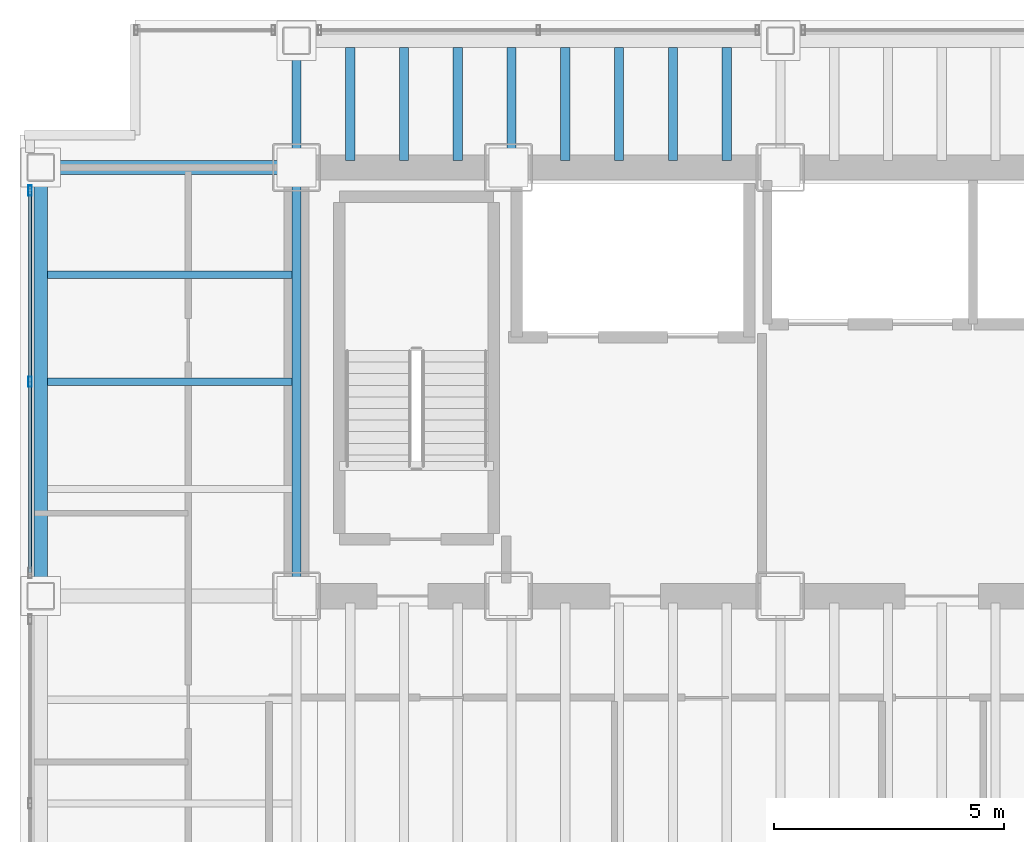
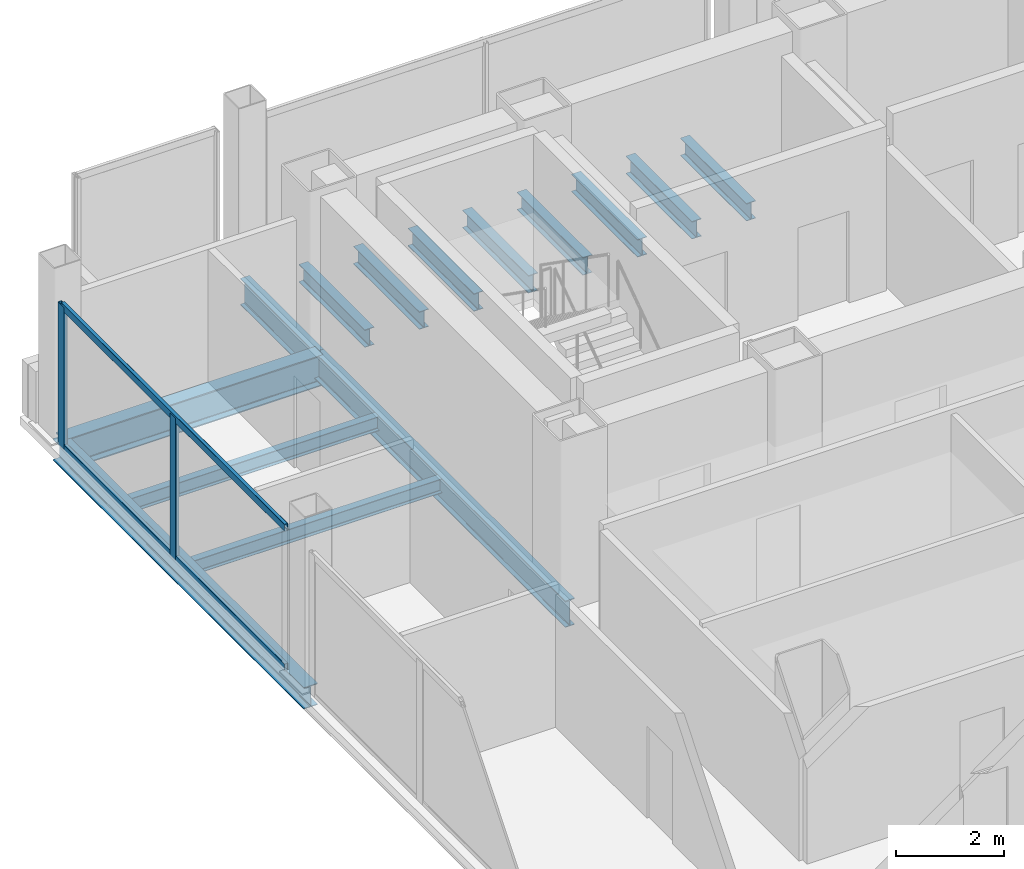
# One storey, part 7 of 22: 14 beams, 4 members, 1 element without a shape of its own.
"""IFC4 building model written with IfcOpenShell, lengths in metres."""

import ifcopenshell
import ifcopenshell.guid

model = None  # the IFC model being written
_history = None  # IfcOwnerHistory: only IFC2X3 demands one
_inside = {}  # id of a spatial element -> (the spatial element, [elements in it])
_under = {}  # id of a project, library or spatial element -> (it, [spatial elements below it])
_declared = {}  # id of a project -> (the project, [libraries it declares])
_typed = {}  # id of a type object -> (the type object, [elements of that type])
_made_of = {}  # id of a material, layer set ... -> (it, [elements and type objects made of it])


def new_model(schema):
    """Start an empty IFC model of exactly this schema.

    Asked for "IFC4X3", IfcOpenShell would pick the latest addendum, in which some entities
    have other attributes; the version numbers below select the first issue.
    IFC2X3 requires an IfcOwnerHistory on every rooted entity: one is made here for all.
    """
    global model, _history
    if schema == "IFC4X3":
        model = ifcopenshell.file(schema_version=(4, 3, 0, 0))
    else:
        model = ifcopenshell.file(schema=schema)
    _inside.clear()
    _under.clear()
    _declared.clear()
    _typed.clear()
    _made_of.clear()
    _history = None
    if model.schema == "IFC2X3":
        org = make("IfcOrganization", Name="unknown")
        user = make(
            "IfcPersonAndOrganization",
            ThePerson=make("IfcPerson", FamilyName="unknown"),
            TheOrganization=org,
        )
        app = make(
            "IfcApplication",
            ApplicationDeveloper=org,
            Version="unknown",
            ApplicationFullName="unknown",
            ApplicationIdentifier="unknown",
        )
        _history = make(
            "IfcOwnerHistory",
            OwningUser=user,
            OwningApplication=app,
            ChangeAction="ADDED",
            CreationDate=0,
        )
    return model


def make(cls, **values):
    """One entity of the class cls with the attributes given. An attribute that is None is left unset."""
    return model.create_entity(
        cls, **{name: value for name, value in values.items() if value is not None}
    )


def rooted(cls, **values):
    """An entity with a GlobalId (a new one), such as an element, a storey or a relation."""
    return make(cls, GlobalId=ifcopenshell.guid.new(), OwnerHistory=_history, **values)


def si_unit(unit_type, name, prefix=None):
    """IfcSIUnit, for example si_unit("LENGTHUNIT", "METRE", prefix="MILLI")."""
    return make("IfcSIUnit", UnitType=unit_type, Prefix=prefix, Name=name)


def assignment(units):
    """IfcUnitAssignment: the units of a project."""
    return None if units is None else make("IfcUnitAssignment", Units=units)


def point(xyz):
    """IfcCartesianPoint."""
    return None if xyz is None else make("IfcCartesianPoint", Coordinates=xyz)


def direction(xyz):
    """IfcDirection."""
    return None if xyz is None else make("IfcDirection", DirectionRatios=xyz)


def frame(location, z_axis=None, x_axis=None):
    """IfcAxis2Placement3D, a coordinate frame: its origin and axes. An axis left out is left unset."""
    return make(
        "IfcAxis2Placement3D",
        Location=point(location),
        Axis=direction(z_axis),
        RefDirection=direction(x_axis),
    )


def frame_2d(location, x_axis=None):
    """IfcAxis2Placement2D, a coordinate frame in the plane: its origin and x axis."""
    return make(
        "IfcAxis2Placement2D", Location=point(location), RefDirection=direction(x_axis)
    )


def origin():
    """The frame at (0, 0, 0) with its axes left unset."""
    return frame((0.0, 0.0, 0.0))


def origin_2d():
    """The frame at (0, 0) in the plane with its x axis left unset."""
    return frame_2d((0.0, 0.0))


def place(relative_to, where):
    """IfcLocalPlacement: puts the frame where relative to a parent placement (None: the world)."""
    return make(
        "IfcLocalPlacement", PlacementRelTo=relative_to, RelativePlacement=where
    )


def context(
    kind, dimensions, precision=None, world=None, true_north=None, identifier=None
):
    """IfcGeometricRepresentationContext, for example the 3D "Model" context."""
    return make(
        "IfcGeometricRepresentationContext",
        ContextIdentifier=identifier,
        ContextType=kind,
        CoordinateSpaceDimension=dimensions,
        Precision=precision,
        WorldCoordinateSystem=world,
        TrueNorth=true_north,
    )


def subcontext(parent, identifier, kind, view, scale=None):
    """IfcGeometricRepresentationSubContext, for example "Body" below "Model"."""
    return make(
        "IfcGeometricRepresentationSubContext",
        ContextIdentifier=identifier,
        ContextType=kind,
        ParentContext=parent,
        TargetScale=scale,
        TargetView=view,
    )


def project(units=None, contexts=None):
    """IfcProject with its units and contexts."""
    return rooted(
        "IfcProject",
        Name="project",
        RepresentationContexts=contexts,
        UnitsInContext=assignment(units),
    )


def spatial(cls, under=None, at=None, **own):
    """A site, building, storey or space (cls), placed at a placement, below another one or the project."""
    s = rooted(cls, ObjectPlacement=at, **own)
    if under is not None:
        _under.setdefault(under.id(), (under, []))[1].append(s)
    return s


def profile(cls, at=None, kind="AREA", **sizes):
    """A parametric profile (cls). Its sizes go by their IFC names, for example OverallWidth=200.0."""
    return make(cls, ProfileType=kind, Position=at, **sizes)


def hollow_rectangle(**sizes):
    """IfcRectangleHollowProfileDef."""
    return profile("IfcRectangleHollowProfileDef", **sizes)


def i_section(**sizes):
    """IfcIShapeProfileDef."""
    return profile("IfcIShapeProfileDef", **sizes)


def extrude(swept, where, along, depth):
    """IfcExtrudedAreaSolid: the profile swept, set in the frame where, extruded along a direction by depth."""
    return make(
        "IfcExtrudedAreaSolid",
        SweptArea=swept,
        Position=where,
        ExtrudedDirection=direction(along),
        Depth=depth,
    )


def shape(context_of_items, identifier, shape_type, items):
    """IfcShapeRepresentation: the items that make up one representation, for example the "Body"."""
    return make(
        "IfcShapeRepresentation",
        ContextOfItems=context_of_items,
        RepresentationIdentifier=identifier,
        RepresentationType=shape_type,
        Items=items,
    )


def material(Name=None, Category=None):
    """IfcMaterial."""
    return make("IfcMaterial", Name=Name, Category=Category)


def material_profile(
    of_material, cross_section, Name=None, Category=None, Priority=None
):
    """IfcMaterialProfile: a cross section and its material."""
    return make(
        "IfcMaterialProfile",
        Name=Name,
        Material=of_material,
        Profile=cross_section,
        Priority=Priority,
        Category=Category,
    )


def profile_set(profiles, Name=None, composite=None):
    """IfcMaterialProfileSet."""
    return make(
        "IfcMaterialProfileSet",
        Name=Name,
        MaterialProfiles=profiles,
        CompositeProfile=composite,
    )


def made_of(thing, what):
    """Note that an element or type object is made of a material, layer set ...; save() writes the relation."""
    if what is not None:
        _made_of.setdefault(what.id(), (what, []))[1].append(thing)
    return thing


def type_object(cls, material=None, **own):
    """A type object (cls), such as IfcWallType, which elements share."""
    return made_of(rooted(cls, **own), material)


def element(
    cls,
    number,
    at=None,
    inside=None,
    cuts=None,
    type_object=None,
    material=None,
    context=None,
    identifier="Body",
    shape_type=None,
    held_by="IfcProductDefinitionShape",
    body=None,
    shapes=None,
    **own,
):
    """One element of the class cls, such as IfcWall. Its Tag is "e" and its number.

    at: its placement. inside: the storey or other place that contains it. cuts: it is an
    opening in that element (IfcRelVoidsElement). A single representation is given by context,
    identifier, shape_type and body (its items); several are given by shapes. held_by: the class
    of the entity that holds the representations. save() writes the other relations.
    """
    e = rooted(cls, Tag="e%d" % number, ObjectPlacement=at, **own)
    if body is not None:
        shapes = [shape(context, identifier, shape_type, body)]
    if shapes is not None:
        e.Representation = make(held_by, Representations=shapes)
    if inside is not None:
        _inside.setdefault(inside.id(), (inside, []))[1].append(e)
    if cuts is not None:
        rooted(
            "IfcRelVoidsElement", RelatingBuildingElement=cuts, RelatedOpeningElement=e
        )
    if type_object is not None:
        _typed.setdefault(type_object.id(), (type_object, []))[1].append(e)
    return made_of(e, material)


def aggregate(whole, parts):
    """IfcRelAggregates: a whole, such as a stair, and the parts it consists of."""
    return rooted("IfcRelAggregates", RelatingObject=whole, RelatedObjects=parts)


def save(model, path):
    """Write the relations noted so far, then the file.

    IfcRelAggregates (storeys below a building ...), IfcRelContainedInSpatialStructure (elements
    in a storey), IfcRelDefinesByType, IfcRelAssociatesMaterial and IfcRelDeclares: one each for
    every whole, place, type object, material and project.
    """
    for whole, parts in _under.values():
        aggregate(whole, parts)
    for where, things in _inside.values():
        rooted(
            "IfcRelContainedInSpatialStructure",
            RelatedElements=things,
            RelatingStructure=where,
        )
    for kind, things in _typed.values():
        rooted("IfcRelDefinesByType", RelatedObjects=things, RelatingType=kind)
    for what, things in _made_of.values():
        rooted("IfcRelAssociatesMaterial", RelatedObjects=things, RelatingMaterial=what)
    for by, libraries in _declared.values():
        rooted("IfcRelDeclares", RelatingContext=by, RelatedDefinitions=libraries)
    model.write(path)


model = new_model("IFC4")

# Units and contexts
model_context = context("Model", 3, precision=1e-05, world=origin(), true_north=direction((0.0, 1.0)))
body_context = subcontext(model_context, "Body", "Model", "MODEL_VIEW")
ifc_project = project(units=[si_unit("LENGTHUNIT", "METRE"), si_unit("AREAUNIT", "SQUARE_METRE"), si_unit("VOLUMEUNIT", "CUBIC_METRE"), si_unit("PLANEANGLEUNIT", "RADIAN"), si_unit("MASSUNIT", "GRAM", prefix="KILO")], contexts=[model_context])

# Site, building, storey
site_placement = place(None, origin())
site = spatial("IfcSite", under=ifc_project, at=site_placement, CompositionType="ELEMENT")
building_placement = place(site_placement, origin())
building = spatial("IfcBuilding", under=site, at=building_placement, Name="Noeulbin Bourse Tower", CompositionType="ELEMENT")
storey_placement = place(building_placement, frame((0.0, 0.0, 88.89990234375)))
storey = spatial("IfcBuildingStorey", under=building, at=storey_placement, Name="L22", CompositionType="ELEMENT", Elevation=88.89990234375)

# Beams
ifc_material_1 = material(Name="Steel S355", Category="steel")
ifc_material_profile_1 = material_profile(ifc_material_1, i_section(OverallWidth=0.199951171875, OverallDepth=0.60009765625, WebThickness=0.010986328125, FlangeThickness=0.01708984375, FilletRadius=0.02197265625, at=origin_2d()), Name="H-600x200x11x17", Category="LoadBearing")
ifc_profile_set_1 = profile_set([ifc_material_profile_1], Name="Steel S355")
beam_type_1 = type_object("IfcBeamType", Name="BM-GRD-600", PredefinedType="USERDEFINED", material=ifc_profile_set_1)
beam_1_placement = place(storey_placement, frame((13.5, 29.0, -0.47998046875), z_axis=(0.0, 1.0, 0.0), x_axis=(-1.0, 0.0, 0.0)))
element("IfcBeam", 1, at=beam_1_placement, inside=storey, type_object=beam_type_1, Name="Tower Primary Girder NS L22-1.3", ObjectType="GIRDER", PredefinedType="USERDEFINED", context=body_context, shape_type="SweptSolid", body=[
    extrude(i_section(OverallWidth=0.199951171875, OverallDepth=0.60009765625, WebThickness=0.010986328125, FlangeThickness=0.01708984375, FilletRadius=0.02197265625, at=origin_2d()), origin(), (0.0, 0.0, 1.0), 9.300048828125),
])
beam_2_placement = place(storey_placement, frame((13.5, 38.300048828125, -0.47998046875), z_axis=(0.0, 1.0, 0.0), x_axis=(-1.0, 0.0, 0.0)))
element("IfcBeam", 2, at=beam_2_placement, inside=storey, type_object=beam_type_1, Name="Tower Primary Girder NS L22-1.4", ObjectType="GIRDER", PredefinedType="USERDEFINED", context=body_context, shape_type="SweptSolid", body=[
    extrude(i_section(OverallWidth=0.199951171875, OverallDepth=0.60009765625, WebThickness=0.010986328125, FlangeThickness=0.01708984375, FilletRadius=0.02197265625, at=origin_2d()), origin(), (0.0, 0.0, 1.0), 2.75),
])
ifc_material_profile_2 = material_profile(ifc_material_1, i_section(OverallWidth=0.300048828125, OverallDepth=0.699951171875, WebThickness=0.012939453125, FlangeThickness=0.02392578125, FilletRadius=0.02392578125, at=origin_2d()), Name="H-700x300x13x24", Category="LoadBearing")
ifc_profile_set_2 = profile_set([ifc_material_profile_2], Name="Steel S355")
beam_type_2 = type_object("IfcBeamType", Name="BM-GRD-700", PredefinedType="USERDEFINED", material=ifc_profile_set_2)
beam_3_placement = place(storey_placement, frame((7.949951171875, 38.300048828125, -0.52978515625), z_axis=(1.0, 0.0, 0.0), x_axis=(0.0, 1.0, 0.0)))
element("IfcBeam", 3, at=beam_3_placement, inside=storey, type_object=beam_type_2, Name="Tower Primary Girder EW L22-3.1", ObjectType="GIRDER", PredefinedType="USERDEFINED", context=body_context, shape_type="SweptSolid", body=[
    extrude(i_section(OverallWidth=0.300048828125, OverallDepth=0.699951171875, WebThickness=0.012939453125, FlangeThickness=0.02392578125, FilletRadius=0.02392578125, at=origin_2d()), origin(), (0.0, 0.0, 1.0), 5.550048828125),
])
ifc_material_profile_3 = material_profile(ifc_material_1, i_section(OverallWidth=0.159912109375, OverallDepth=0.320068359375, WebThickness=0.006591796875, FlangeThickness=0.010009765625, FilletRadius=0.012939453125, at=origin_2d()), Name="H-320x160x6.5x10", Category="LoadBearing")
ifc_profile_set_3 = profile_set([ifc_material_profile_3], Name="Steel S355")
beam_type_3 = type_object("IfcBeamType", Name="BM-JST-320", PredefinedType="JOIST", material=ifc_profile_set_3)
for number, where, z_axis, x_axis, name in (
    (4, (8.10009765625, 33.64990234375, -0.33984375), (1.0, 0.0, 0.0), (0.0, 1.0, 0.0), "Wing Composite Joist L22-W74"),
    (5, (8.10009765625, 35.97509765625, -0.33984375), (1.0, 0.0, 0.0), (0.0, 1.0, 0.0), "Wing Composite Joist L22-W75"),
):
    element("IfcBeam", number, at=place(storey_placement, frame(where, z_axis=z_axis, x_axis=x_axis)), inside=storey, type_object=beam_type_3, Name=name, PredefinedType="JOIST", context=body_context, shape_type="SweptSolid", body=[
        extrude(i_section(OverallWidth=0.159912109375, OverallDepth=0.320068359375, WebThickness=0.006591796875, FlangeThickness=0.010009765625, FilletRadius=0.012939453125, at=origin_2d()), origin(), (0.0, 0.0, 1.0), 5.2998046875),
    ])
ifc_material_profile_4 = material_profile(ifc_material_1, i_section(OverallWidth=0.199951171875, OverallDepth=0.39990234375, WebThickness=0.008056640625, FlangeThickness=0.012939453125, FilletRadius=0.01611328125, at=origin_2d()), Name="H-400x200x8x13", Category="LoadBearing")
ifc_profile_set_4 = profile_set([ifc_material_profile_4], Name="Steel S355")
beam_type_4 = type_object("IfcBeamType", Name="BM-SEC-400", PredefinedType="BEAM", material=ifc_profile_set_4)
for number, where, z_axis, x_axis, name in (
    (6, (14.666748046875, 38.449951171875, -0.3798828125), (0.0, 1.0, 0.0), (-1.0, 0.0, 0.0), "Tower Composite Joist L22-03"),
    (7, (15.833251953125, 38.449951171875, -0.3798828125), (0.0, 1.0, 0.0), (-1.0, 0.0, 0.0), "Tower Composite Joist L22-06"),
    (8, (17.0, 38.449951171875, -0.3798828125), (0.0, 1.0, 0.0), (-1.0, 0.0, 0.0), "Tower Composite Joist L22-09"),
    (9, (18.166748046875, 38.449951171875, -0.3798828125), (0.0, 1.0, 0.0), (-1.0, 0.0, 0.0), "Tower Composite Joist L22-12"),
    (10, (19.333251953125, 38.449951171875, -0.3798828125), (0.0, 1.0, 0.0), (-1.0, 0.0, 0.0), "Tower Composite Joist L22-15"),
    (11, (20.5, 38.449951171875, -0.3798828125), (0.0, 1.0, 0.0), (-1.0, 0.0, 0.0), "Tower Composite Joist L22-18"),
    (12, (21.666748046875, 38.449951171875, -0.3798828125), (0.0, 1.0, 0.0), (-1.0, 0.0, 0.0), "Tower Composite Joist L22-21"),
    (13, (22.833251953125, 38.449951171875, -0.3798828125), (0.0, 1.0, 0.0), (-1.0, 0.0, 0.0), "Tower Composite Joist L22-24"),
):
    element("IfcBeam", number, at=place(storey_placement, frame(where, z_axis=z_axis, x_axis=x_axis)), inside=storey, type_object=beam_type_4, Name=name, PredefinedType="BEAM", context=body_context, shape_type="SweptSolid", body=[
        extrude(i_section(OverallWidth=0.199951171875, OverallDepth=0.39990234375, WebThickness=0.008056640625, FlangeThickness=0.012939453125, FilletRadius=0.01611328125, at=origin_2d()), origin(), (0.0, 0.0, 1.0), 2.449951171875),
    ])
ifc_material_profile_5 = material_profile(ifc_material_1, i_section(OverallWidth=0.300048828125, OverallDepth=0.488037109375, WebThickness=0.010986328125, FlangeThickness=0.01806640625, FilletRadius=0.02197265625, at=origin_2d()), Name="H-488x300x11x18", Category="LoadBearing")
ifc_profile_set_5 = profile_set([ifc_material_profile_5], Name="Steel S355")
beam_type_5 = type_object("IfcBeamType", Name="BM-SPN-488", PredefinedType="SPANDREL", material=ifc_profile_set_5)
beam_4_placement = place(storey_placement, frame((7.949951171875, 29.0, -0.423828125), z_axis=(0.0, 1.0, 0.0), x_axis=(-1.0, 0.0, 0.0)))
element("IfcBeam", 14, at=beam_4_placement, inside=storey, type_object=beam_type_5, Name="West Spandrel L22-2", PredefinedType="SPANDREL", context=body_context, shape_type="SweptSolid", body=[
    extrude(i_section(OverallWidth=0.300048828125, OverallDepth=0.488037109375, WebThickness=0.010986328125, FlangeThickness=0.01806640625, FilletRadius=0.02197265625, at=origin_2d()), origin(), (0.0, 0.0, 1.0), 9.300048828125),
])

# Curtain wall, members
ifc_material_2 = material(Name="Dark Solar-Control Double Glazing", Category="glass")
curtain_wall_type = type_object("IfcCurtainWallType", Name="CW-SYS-2", PredefinedType="NOTDEFINED", material=ifc_material_2)
curtain_wall_placement = place(storey_placement, origin())
curtain_wall = element("IfcCurtainWall", 15, at=curtain_wall_placement, inside=storey, type_object=curtain_wall_type, Name="Unitised Curtain Wall CW-L22-W-S3", PredefinedType="NOTDEFINED")
ifc_material_3 = material(Name="Anodised Aluminium 6063-T6", Category="aluminium")
ifc_material_profile_6 = material_profile(ifc_material_3, hollow_rectangle(XDim=0.074951171875, YDim=0.219970703125, WallThickness=0.0048828125, InnerFilletRadius=0.00244140625, OuterFilletRadius=0.0048828125, at=origin_2d()), Name="ALU-MULL-75x220x5", Category="LoadBearing")
ifc_profile_set_6 = profile_set([ifc_material_profile_6], Name="Anodised Aluminium 6063-T6")
member_type_1 = type_object("IfcMemberType", Name="CW-SYS-2-MUL", PredefinedType="MULLION", material=ifc_profile_set_6)
member_1_placement = place(storey_placement, frame((7.719970703125, 33.64990234375, -0.02001953125), z_axis=(0.0, 0.0, 1.0), x_axis=(1.0, 0.0, 0.0)))
member_1 = element("IfcMember", 16, at=member_1_placement, type_object=member_type_1, Name="Curtain Wall Mullion CW-L22-W-S3-M01", PredefinedType="MULLION", context=body_context, shape_type="SweptSolid", body=[
    extrude(hollow_rectangle(XDim=0.074951171875, YDim=0.219970703125, WallThickness=0.0048828125, InnerFilletRadius=0.00244140625, OuterFilletRadius=0.0048828125, at=origin_2d()), origin(), (0.0, 0.0, 1.0), 3.22021484375),
])
member_2_placement = place(storey_placement, frame((7.719970703125, 37.800048828125, -0.02001953125), z_axis=(0.0, 0.0, 1.0), x_axis=(1.0, 0.0, 0.0)))
member_2 = element("IfcMember", 17, at=member_2_placement, type_object=member_type_1, Name="Curtain Wall Mullion CW-L22-W-S3-M02", PredefinedType="MULLION", context=body_context, shape_type="SweptSolid", body=[
    extrude(hollow_rectangle(XDim=0.074951171875, YDim=0.219970703125, WallThickness=0.0048828125, InnerFilletRadius=0.00244140625, OuterFilletRadius=0.0048828125, at=origin_2d()), origin(), (0.0, 0.0, 1.0), 3.22021484375),
])
ifc_material_profile_7 = material_profile(ifc_material_3, hollow_rectangle(XDim=0.074951171875, YDim=0.159912109375, WallThickness=0.0048828125, InnerFilletRadius=0.00244140625, OuterFilletRadius=0.0048828125, at=origin_2d()), Name="ALU-TRAN-75x160x5", Category="LoadBearing")
ifc_profile_set_7 = profile_set([ifc_material_profile_7], Name="Anodised Aluminium 6063-T6")
member_type_2 = type_object("IfcMemberType", Name="CW-SYS-2-TRN", PredefinedType="USERDEFINED", material=ifc_profile_set_7)
member_3_placement = place(storey_placement, frame((7.719970703125, 29.510009765625, 0.010009765625), z_axis=(0.0, 1.0, 0.0), x_axis=(-1.0, 0.0, 0.0)))
member_3 = element("IfcMember", 18, at=member_3_placement, type_object=member_type_2, Name="Curtain Wall Transom CW-L22-W-S3-T00", ObjectType="TRANSOM", PredefinedType="USERDEFINED", context=body_context, shape_type="SweptSolid", body=[
    extrude(hollow_rectangle(XDim=0.074951171875, YDim=0.159912109375, WallThickness=0.0048828125, InnerFilletRadius=0.00244140625, OuterFilletRadius=0.0048828125, at=origin_2d()), origin(), (0.0, 0.0, 1.0), 8.280029296875),
])
member_4_placement = place(storey_placement, frame((7.719970703125, 29.510009765625, 3.170166015625), z_axis=(0.0, 1.0, 0.0), x_axis=(-1.0, 0.0, 0.0)))
member_4 = element("IfcMember", 19, at=member_4_placement, type_object=member_type_2, Name="Curtain Wall Transom CW-L22-W-S3-T01", ObjectType="TRANSOM", PredefinedType="USERDEFINED", context=body_context, shape_type="SweptSolid", body=[
    extrude(hollow_rectangle(XDim=0.074951171875, YDim=0.159912109375, WallThickness=0.0048828125, InnerFilletRadius=0.00244140625, OuterFilletRadius=0.0048828125, at=origin_2d()), origin(), (0.0, 0.0, 1.0), 8.280029296875),
])
aggregate(curtain_wall, [member_1, member_2, member_3, member_4])

save(model, "model.ifc")
